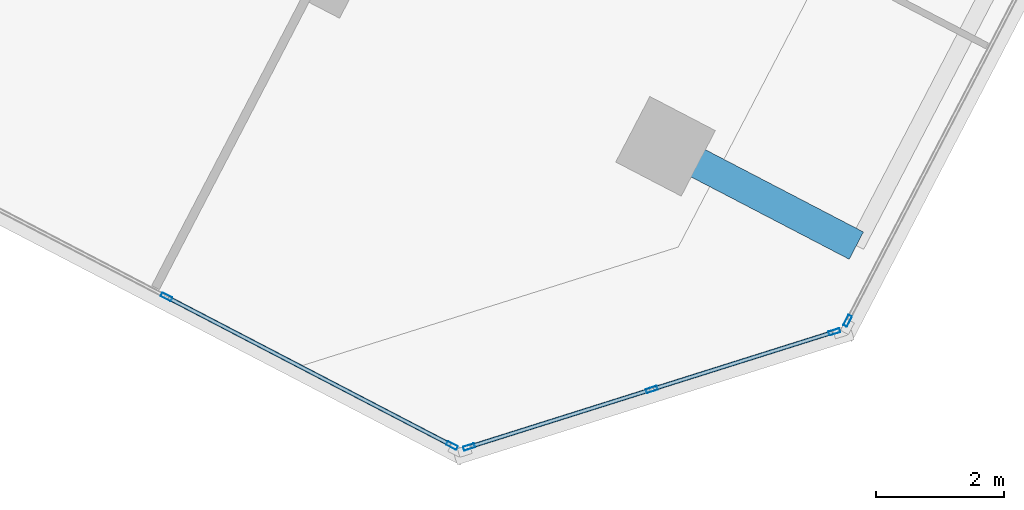
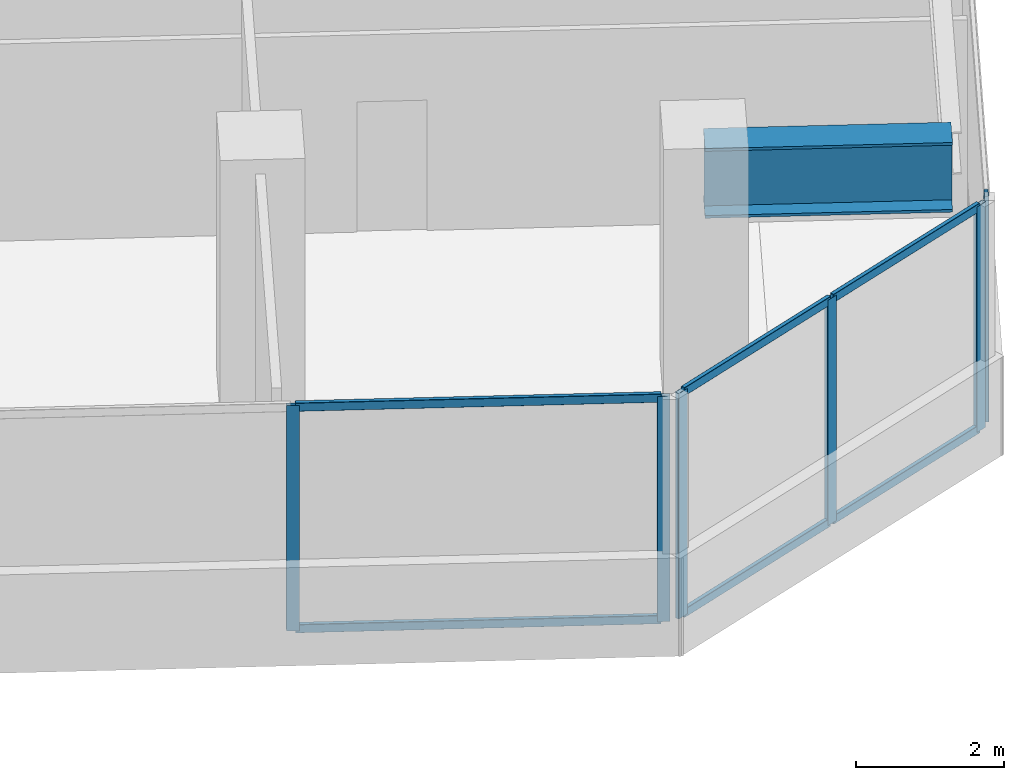
# One storey, part 7 of 22: 12 members, 1 beam, 3 elements without a shape of their own.
"""IFC4 building model written with IfcOpenShell, lengths in metres."""

from ifc_helpers import new_model, si_unit, direction, frame, origin, origin_2d, place, context, subcontext, project, spatial, hollow_rectangle, i_section, extrude, source, transform, mapped, material, material_profile, profile_set, type_object, element, aggregate, save


model = new_model("IFC4")

# Units and contexts
model_context = context("Model", 3, precision=1e-05, world=origin(), true_north=direction((0.0, 1.0)))
body_context = subcontext(model_context, "Body", "Model", "MODEL_VIEW")
ifc_project = project(units=[si_unit("LENGTHUNIT", "METRE"), si_unit("AREAUNIT", "SQUARE_METRE"), si_unit("VOLUMEUNIT", "CUBIC_METRE"), si_unit("PLANEANGLEUNIT", "RADIAN"), si_unit("MASSUNIT", "GRAM", prefix="KILO")], contexts=[model_context])

# Site, building, storey
site_placement = place(None, origin())
site = spatial("IfcSite", under=ifc_project, at=site_placement, CompositionType="ELEMENT")
building_placement = place(site_placement, origin())
building = spatial("IfcBuilding", under=site, at=building_placement, Name="Torre Montelarca", CompositionType="ELEMENT")
storey_placement = place(building_placement, frame((0.0, 0.0, 166.60009765625)))
storey = spatial("IfcBuildingStorey", under=building, at=storey_placement, Name="L37", CompositionType="ELEMENT", Elevation=166.60009765625)

# Beam
ifc_material_1 = material(Name="Steel ASTM A572 Grade 50", Category="steel")
ifc_material_profile_1 = material_profile(ifc_material_1, i_section(OverallWidth=0.47998046875, OverallDepth=1.14990234375, WebThickness=0.02197265625, FlangeThickness=0.044921875, at=origin_2d()), Name="PG1150X480X22X45", Category="steel")
ifc_profile_set_1 = profile_set([ifc_material_profile_1], Name="Steel ASTM A572 Grade 50")
beam_type = type_object("IfcBeamType", Name="BM-CG-PG1400-EXT", PredefinedType="USERDEFINED", material=ifc_profile_set_1)
shared_shape_1 = source(origin(), body_context, "Body", "SweptSolid", [
    extrude(i_section(OverallWidth=0.47998046875, OverallDepth=1.14990234375, WebThickness=0.02197265625, FlangeThickness=0.044921875, at=origin_2d()), origin(), (0.0, 0.0, 1.0), 3.349853515625),
])
beam_placement = place(storey_placement, frame((41.311767578125, 12.66748046875, 3.385009765625), z_axis=(0.887005507171, -0.461758844256, 0.0), x_axis=(0.461758844256, 0.887005507171, 0.0)))
element("IfcBeam", 1, at=beam_placement, inside=storey, type_object=beam_type, Name="L37 Sliding Tray Cantilever Girder East Y=24m (FLR)", ObjectType="CANTILEVER GIRDER", PredefinedType="USERDEFINED", context=body_context, shape_type="MappedRepresentation", body=[
    mapped(shared_shape_1, transform((0.0, 0.0, 0.0), scale=1.0)),
])

# Curtain wall, members
ifc_material_2 = material(Name="Insulated low-E laminated glass", Category="glass")
curtain_wall_type = type_object("IfcCurtainWallType", Name="CW-SYS-Z2", PredefinedType="USERDEFINED", material=ifc_material_2)
curtain_wall_1_placement = place(storey_placement, origin())
curtain_wall_1 = element("IfcCurtainWall", 2, at=curtain_wall_1_placement, inside=storey, type_object=curtain_wall_type, Name="L37 Curtain Wall Run CW-T3-L37-E05-B1", ObjectType="UNITISED GLAZING", PredefinedType="USERDEFINED")
ifc_material_3 = material(Name="Anodised aluminium AA 6063-T6", Category="aluminium")
ifc_material_profile_2 = material_profile(ifc_material_3, hollow_rectangle(XDim=0.06494140625, YDim=0.139892578125, WallThickness=0.00390625, InnerFilletRadius=0.00390625, OuterFilletRadius=0.008056640625, at=origin_2d()), Name="ALU65X140X4", Category="aluminium")
ifc_profile_set_2 = profile_set([ifc_material_profile_2], Name="Anodised aluminium AA 6063-T6")
member_type_1 = type_object("IfcMemberType", Name="CWT-ALU140", PredefinedType="USERDEFINED", material=ifc_profile_set_2)
shared_shape_2 = source(origin(), body_context, "Body", "SweptSolid", [
    extrude(hollow_rectangle(XDim=0.06494140625, YDim=0.139892578125, WallThickness=0.00390625, InnerFilletRadius=0.00390625, OuterFilletRadius=0.008056640625, at=origin_2d()), origin(), (0.0, 0.0, 1.0), 2.918701171875),
])
member_1_placement = place(storey_placement, frame((38.282470703125, 7.993408203125, 0.032470703125), z_axis=(0.953717833294, 0.300703000412, 0.0), x_axis=(-0.300703000412, 0.953717833294, 0.0)))
member_1 = element("IfcMember", 3, at=member_1_placement, type_object=member_type_1, Name="CW transom 1.1", ObjectType="TRANSOM", PredefinedType="USERDEFINED", context=body_context, shape_type="MappedRepresentation", body=[
    mapped(shared_shape_2, transform((0.0, 0.0, 0.0), scale=1.0)),
])
member_2_placement = place(storey_placement, frame((38.282470703125, 7.993408203125, 3.6875), z_axis=(0.953717833294, 0.300703000412, 0.0), x_axis=(-0.300703000412, 0.953717833294, 0.0)))
member_2 = element("IfcMember", 4, at=member_2_placement, type_object=member_type_1, Name="CW transom 1.2", ObjectType="TRANSOM", PredefinedType="USERDEFINED", context=body_context, shape_type="MappedRepresentation", body=[
    mapped(shared_shape_2, transform((0.0, 0.0, 0.0), scale=1.0)),
])
shared_shape_3 = source(origin(), body_context, "Body", "SweptSolid", [
    extrude(hollow_rectangle(XDim=0.06494140625, YDim=0.139892578125, WallThickness=0.00390625, InnerFilletRadius=0.00390625, OuterFilletRadius=0.008056640625, at=origin_2d()), origin(), (0.0, 0.0, 1.0), 2.91845703125),
])
member_3_placement = place(storey_placement, frame((41.128173828125, 8.890625, 0.032470703125), z_axis=(0.953734258379, 0.300650901203, 0.0), x_axis=(-0.300650901203, 0.953734258379, 0.0)))
member_3 = element("IfcMember", 5, at=member_3_placement, type_object=member_type_1, Name="CW transom 2.1", ObjectType="TRANSOM", PredefinedType="USERDEFINED", context=body_context, shape_type="MappedRepresentation", body=[
    mapped(shared_shape_3, transform((0.0, 0.0, 0.0), scale=1.0)),
])
member_4_placement = place(storey_placement, frame((41.128173828125, 8.890625, 3.6875), z_axis=(0.953734258379, 0.300650901203, 0.0), x_axis=(-0.300650901203, 0.953734258379, 0.0)))
member_4 = element("IfcMember", 6, at=member_4_placement, type_object=member_type_1, Name="CW transom 2.2", ObjectType="TRANSOM", PredefinedType="USERDEFINED", context=body_context, shape_type="MappedRepresentation", body=[
    mapped(shared_shape_3, transform((0.0, 0.0, 0.0), scale=1.0)),
])

curtain_wall_2_placement = place(storey_placement, origin())
curtain_wall_2 = element("IfcCurtainWall", 7, at=curtain_wall_2_placement, inside=storey, type_object=curtain_wall_type, Name="L37 Curtain Wall Run CW-T3-L37-E04-B1", ObjectType="UNITISED GLAZING", PredefinedType="USERDEFINED")
ifc_material_profile_3 = material_profile(ifc_material_3, hollow_rectangle(XDim=0.06494140625, YDim=0.179931640625, WallThickness=0.00390625, InnerFilletRadius=0.00390625, OuterFilletRadius=0.008056640625, at=origin_2d()), Name="ALU65X180X4", Category="aluminium")
ifc_profile_set_3 = profile_set([ifc_material_profile_3], Name="Anodised aluminium AA 6063-T6")
member_type_2 = type_object("IfcMemberType", Name="CWM-ALU180", PredefinedType="MULLION", material=ifc_profile_set_3)
shared_shape_4 = source(origin(), body_context, "Body", "SweptSolid", [
    extrude(hollow_rectangle(XDim=0.06494140625, YDim=0.179931640625, WallThickness=0.00390625, InnerFilletRadius=0.00390625, OuterFilletRadius=0.008056640625, at=origin_2d()), origin(), (0.0, 0.0, 1.0), 3.719970703125),
])
member_5_placement = place(storey_placement, frame((33.538330078125, 10.322021484375, 0.0), z_axis=(0.0, 0.0, 1.0), x_axis=(0.461743609762, 0.887013437803, 0.0)))
member_5 = element("IfcMember", 8, at=member_5_placement, type_object=member_type_2, Name="CW mullion 2", PredefinedType="MULLION", context=body_context, shape_type="MappedRepresentation", body=[
    mapped(shared_shape_4, transform((0.0, 0.0, 0.0), scale=1.0)),
])
member_6_placement = place(storey_placement, frame((37.985595703125, 8.0068359375, 0.0), z_axis=(0.0, 0.0, 1.0), x_axis=(0.461743609762, 0.887013437803, 0.0)))
member_6 = element("IfcMember", 9, at=member_6_placement, type_object=member_type_2, Name="CW mullion 3", PredefinedType="MULLION", context=body_context, shape_type="MappedRepresentation", body=[
    mapped(shared_shape_4, transform((0.0, 0.0, 0.0), scale=1.0)),
])

# Member
member_7_placement = place(storey_placement, frame((38.25146484375, 7.983642578125, 0.0), z_axis=(0.0, 0.0, 1.0), x_axis=(-0.300679111938, 0.953725364895, 0.0)))
member_7 = element("IfcMember", 10, at=member_7_placement, type_object=member_type_2, Name="CW mullion 1", PredefinedType="MULLION", context=body_context, shape_type="MappedRepresentation", body=[
    mapped(shared_shape_4, transform((0.0, 0.0, 0.0), scale=1.0)),
])

member_8_placement = place(storey_placement, frame((41.09716796875, 8.880859375, 0.0), z_axis=(0.0, 0.0, 1.0), x_axis=(-0.300679111938, 0.953725364895, 0.0)))
member_8 = element("IfcMember", 11, at=member_8_placement, type_object=member_type_2, Name="CW mullion 2", PredefinedType="MULLION", context=body_context, shape_type="MappedRepresentation", body=[
    mapped(shared_shape_4, transform((0.0, 0.0, 0.0), scale=1.0)),
])

member_9_placement = place(storey_placement, frame((43.942626953125, 9.77783203125, 0.0), z_axis=(0.0, 0.0, 1.0), x_axis=(-0.300679111938, 0.953725364895, 0.0)))
member_9 = element("IfcMember", 12, at=member_9_placement, type_object=member_type_2, Name="CW mullion 3", PredefinedType="MULLION", context=body_context, shape_type="MappedRepresentation", body=[
    mapped(shared_shape_4, transform((0.0, 0.0, 0.0), scale=1.0)),
])

aggregate(curtain_wall_1, [member_7, member_8, member_9, member_1, member_2, member_3, member_4])

# Curtain wall, member
curtain_wall_3_placement = place(storey_placement, origin())
curtain_wall_3 = element("IfcCurtainWall", 13, at=curtain_wall_3_placement, inside=storey, type_object=curtain_wall_type, Name="L37 Curtain Wall Run CW-T3-L37-E06-B1", ObjectType="UNITISED GLAZING", PredefinedType="USERDEFINED")
member_10_placement = place(storey_placement, frame((44.147216796875, 9.949462890625, 0.0), z_axis=(0.0, 0.0, 1.0), x_axis=(-0.887014000849, 0.461742528145, 0.0)))
member_10 = element("IfcMember", 14, at=member_10_placement, type_object=member_type_2, Name="CW mullion 1", PredefinedType="MULLION", context=body_context, shape_type="MappedRepresentation", body=[
    mapped(shared_shape_4, transform((0.0, 0.0, 0.0), scale=1.0)),
])
aggregate(curtain_wall_3, [member_10])

# Member
shared_shape_5 = source(origin(), body_context, "Body", "SweptSolid", [
    extrude(hollow_rectangle(XDim=0.06494140625, YDim=0.139892578125, WallThickness=0.00390625, InnerFilletRadius=0.00390625, OuterFilletRadius=0.008056640625, at=origin_2d()), origin(), (0.0, 0.0, 1.0), 4.948486328125),
])
member_11_placement = place(storey_placement, frame((33.5673828125, 10.306884765625, 0.032470703125), z_axis=(0.887016390061, -0.461737938405, 0.0), x_axis=(0.461737938405, 0.887016390061, 0.0)))
member_11 = element("IfcMember", 15, at=member_11_placement, type_object=member_type_1, Name="CW transom 2.1", ObjectType="TRANSOM", PredefinedType="USERDEFINED", context=body_context, shape_type="MappedRepresentation", body=[
    mapped(shared_shape_5, transform((0.0, 0.0, 0.0), scale=1.0)),
])

member_12_placement = place(storey_placement, frame((33.5673828125, 10.306884765625, 3.6875), z_axis=(0.887016390061, -0.461737938405, 0.0), x_axis=(0.461737938405, 0.887016390061, 0.0)))
member_12 = element("IfcMember", 16, at=member_12_placement, type_object=member_type_1, Name="CW transom 2.2", ObjectType="TRANSOM", PredefinedType="USERDEFINED", context=body_context, shape_type="MappedRepresentation", body=[
    mapped(shared_shape_5, transform((0.0, 0.0, 0.0), scale=1.0)),
])

aggregate(curtain_wall_2, [member_5, member_6, member_11, member_12])

save(model, "model.ifc")
